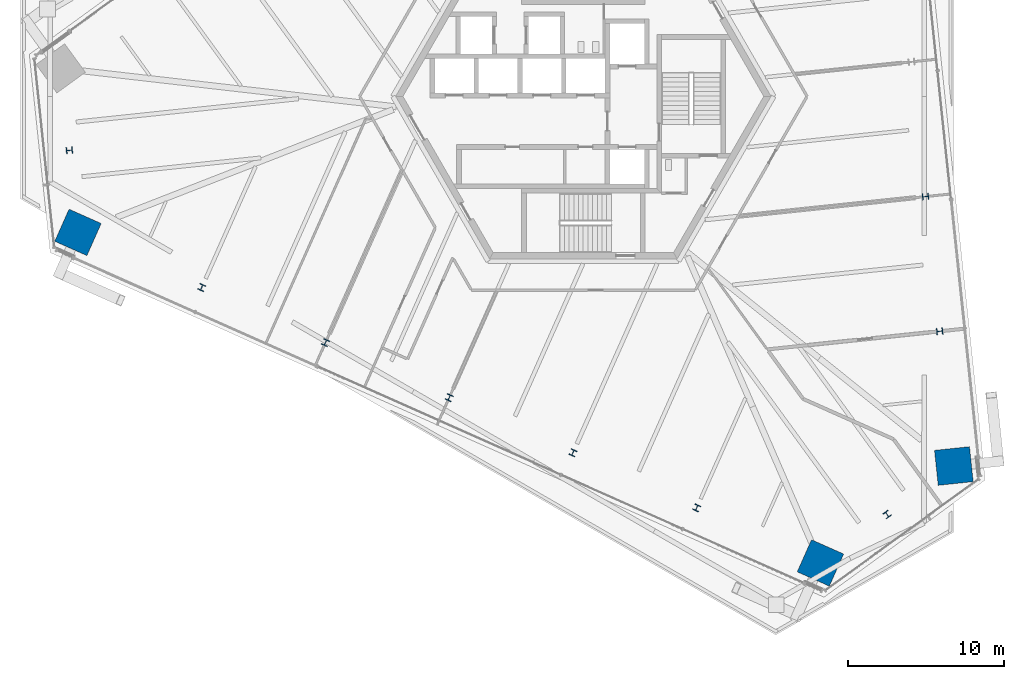
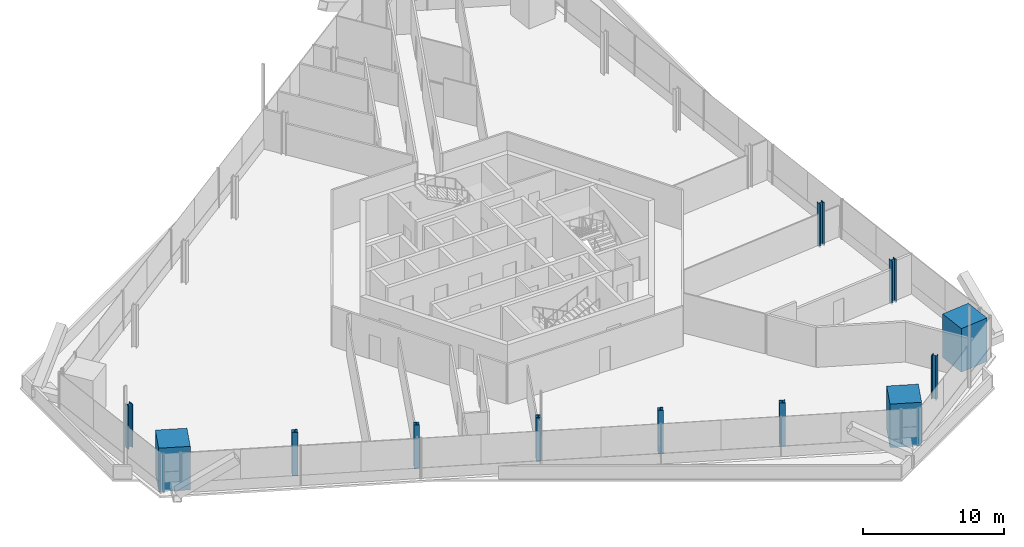
# One storey, part 1 of 24: 12 columns.
"""IFC4 building model written with IfcOpenShell, lengths in metres."""

from ifc_helpers import new_model, si_unit, direction, frame, origin, origin_2d, place, context, subcontext, project, spatial, rectangle, i_section, extrude, source, transform, mapped, material, material_profile, profile_set, type_object, element, save


model = new_model("IFC4")

# Units and contexts
model_context = context("Model", 3, precision=1e-05, world=origin(), true_north=direction((0.0, 1.0)))
body_context = subcontext(model_context, "Body", "Model", "MODEL_VIEW")
ifc_project = project(units=[si_unit("LENGTHUNIT", "METRE"), si_unit("AREAUNIT", "SQUARE_METRE"), si_unit("VOLUMEUNIT", "CUBIC_METRE"), si_unit("PLANEANGLEUNIT", "RADIAN"), si_unit("MASSUNIT", "GRAM", prefix="KILO")], contexts=[model_context])

# Site, building, storey
site_placement = place(None, origin())
site = spatial("IfcSite", under=ifc_project, at=site_placement, CompositionType="ELEMENT")
building_placement = place(site_placement, origin())
building = spatial("IfcBuilding", under=site, at=building_placement, Name="Triune Harvest Tower", CompositionType="ELEMENT")
storey_placement = place(building_placement, frame((0.0, 0.0, 58.5)))
storey = spatial("IfcBuildingStorey", under=building, at=storey_placement, Name="L13", CompositionType="ELEMENT", Elevation=58.5)

# Columns
ifc_material_1 = material(Name="Concrete 70 MPa", Category="concrete")
ifc_material_profile_1 = material_profile(ifc_material_1, rectangle(XDim=2.25, YDim=2.25, at=origin_2d()), Name="Composite 2250x2250")
ifc_profile_set_1 = profile_set([ifc_material_profile_1], Name="Concrete 70 MPa")
column_type_1 = type_object("IfcColumnType", Name="MC-2 Mega column Composite 2250x2250", PredefinedType="COLUMN", material=ifc_profile_set_1)
shared_shape_1 = source(origin(), body_context, "Body", "SweptSolid", [
    extrude(rectangle(XDim=2.25, YDim=2.25, at=origin_2d()), origin(), (0.0, 0.0, 1.0), 3.760009765625),
])
for number, where, z_axis, x_axis, name in (
    (1, (23.693359375, -23.6396484375, -0.159912109375), (0.0, 0.0, 1.0), (-0.104526727499, 0.994522077803, 0.0), "col/L13/M0"),
    (2, (-32.319091796875, -8.69921875, -0.159912109375), (0.0, 0.0, 1.0), (0.913545457643, -0.406736643076, 0.0), "col/L13/M16"),
    (3, (15.160888671875, -29.8388671875, -0.159912109375), (0.0, 0.0, 1.0), (0.913545457643, -0.406736643076, 0.0), "col/L13/M22"),
):
    element("IfcColumn", number, at=place(storey_placement, frame(where, z_axis=z_axis, x_axis=x_axis)), inside=storey, type_object=column_type_1, Name=name, PredefinedType="COLUMN", context=body_context, shape_type="MappedRepresentation", body=[
        mapped(shared_shape_1, transform((0.0, 0.0, 0.0), scale=1.0)),
    ])
ifc_material_2 = material(Name="Steel ASTM A992 Gr 50", Category="steel")
ifc_material_profile_2 = material_profile(ifc_material_2, i_section(OverallWidth=0.398681640625, OverallDepth=0.393798828125, WebThickness=0.022705078125, FlangeThickness=0.03662109375, at=origin_2d()), Name="W14x193")
ifc_profile_set_2 = profile_set([ifc_material_profile_2], Name="Steel ASTM A992 Gr 50")
column_type_2 = type_object("IfcColumnType", Name="PC-2 Perimeter column W14x193", PredefinedType="COLUMN", material=ifc_profile_set_2)
shared_shape_2 = source(origin(), body_context, "Body", "SweptSolid", [
    extrude(i_section(OverallWidth=0.398681640625, OverallDepth=0.393798828125, WebThickness=0.022705078125, FlangeThickness=0.03662109375, at=origin_2d()), origin(), (0.0, 0.0, 1.0), 3.760009765625),
])
for number, where, z_axis, x_axis, name in (
    (4, (22.787841796875, -15.02490234375, -0.159912109375), (0.0, 0.0, 1.0), (-0.104526727499, 0.994522077803, 0.0), "col/L13/P1"),
    (5, (21.88232421875, -6.409912109375, -0.159912109375), (0.0, 0.0, 1.0), (-0.104526727499, 0.994522077803, 0.0), "col/L13/P2"),
    (6, (-32.870361328125, -3.454833984375, -0.159912109375), (0.0, 0.0, 1.0), (0.104528463268, -0.994521895368, 0.0), "col/L13/P15"),
    (7, (-24.40576171875, -12.222412109375, -0.159912109375), (0.0, 0.0, 1.0), (0.913545457643, -0.406736643076, 0.0), "col/L13/P17"),
    (8, (-16.492431640625, -15.745849609375, -0.159912109375), (0.0, 0.0, 1.0), (0.913545457643, -0.406736643076, 0.0), "col/L13/P18"),
    (9, (-8.5791015625, -19.26904296875, -0.159912109375), (0.0, 0.0, 1.0), (0.913545457643, -0.406736643076, 0.0), "col/L13/P19"),
    (10, (-0.665771484375, -22.792236328125, -0.159912109375), (0.0, 0.0, 1.0), (0.913545457643, -0.406736643076, 0.0), "col/L13/P20"),
    (11, (7.24755859375, -26.3154296875, -0.159912109375), (0.0, 0.0, 1.0), (0.913545457643, -0.406736643076, 0.0), "col/L13/P21"),
    (12, (19.427001953125, -26.7392578125, -0.159912109375), (0.0, 0.0, 1.0), (0.809014942612, 0.587788076291, 0.0), "col/L13/P23"),
):
    element("IfcColumn", number, at=place(storey_placement, frame(where, z_axis=z_axis, x_axis=x_axis)), inside=storey, type_object=column_type_2, Name=name, PredefinedType="COLUMN", context=body_context, shape_type="MappedRepresentation", body=[
        mapped(shared_shape_2, transform((0.0, 0.0, 0.0), scale=1.0)),
    ])

save(model, "model.ifc")
